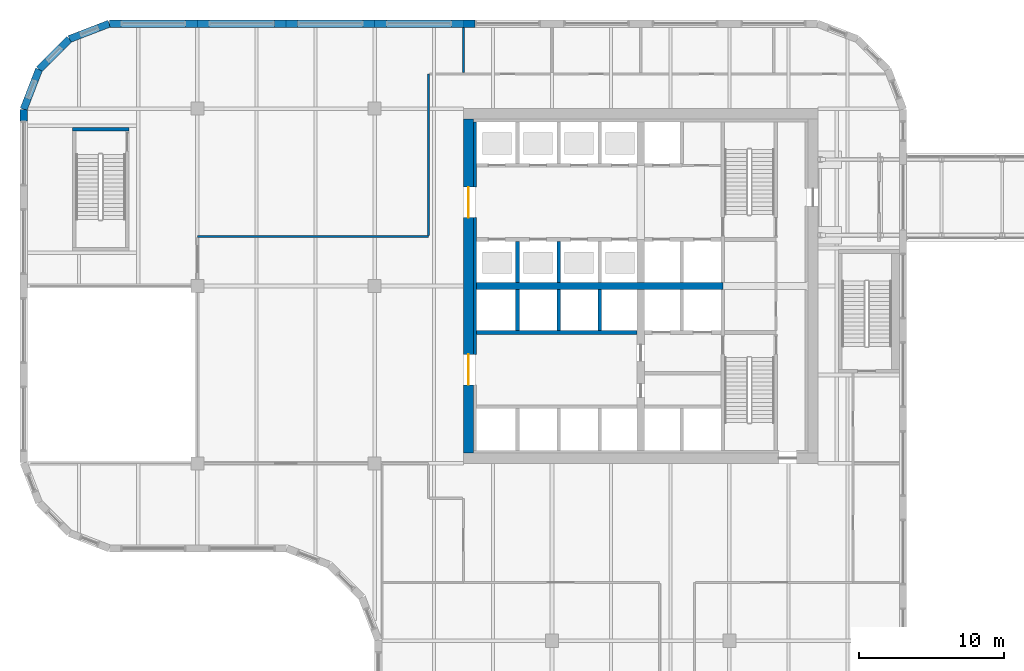
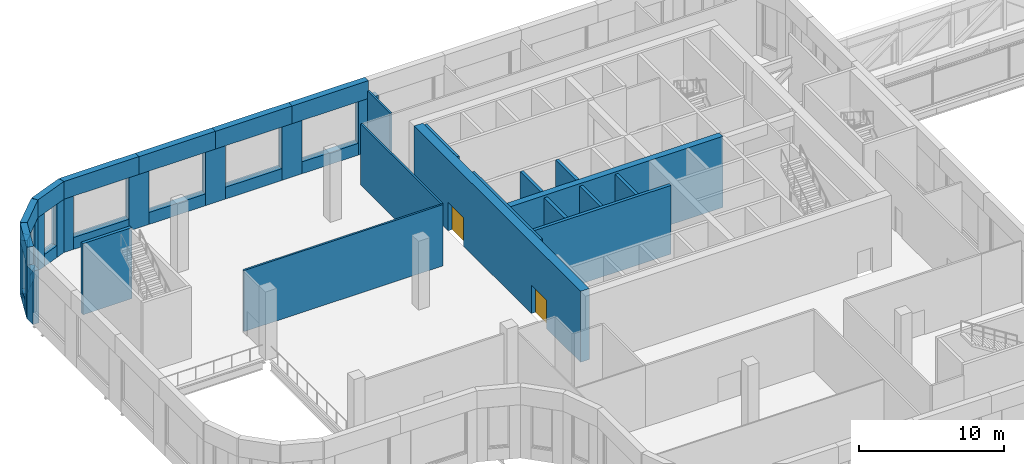
# One storey, part 23 of 36: 40 walls, 2 doors, 2 openings.
"""IFC4 building model written with IfcOpenShell, lengths in metres."""

from ifc_helpers import new_model, si_unit, direction, frame, frame_2d, origin, place, context, subcontext, project, spatial, polyline, rectangle, outline, extrude, faceted_brep, source, transform, mapped, material, layer, layer_set, type_object, element, fill, save


model = new_model("IFC4")

# Units and contexts
model_context = context("Model", 3, precision=1e-05, world=origin(), true_north=direction((0.0, 1.0)))
body_context = subcontext(model_context, "Body", "Model", "MODEL_VIEW")
ifc_project = project(units=[si_unit("LENGTHUNIT", "METRE"), si_unit("AREAUNIT", "SQUARE_METRE"), si_unit("VOLUMEUNIT", "CUBIC_METRE"), si_unit("PLANEANGLEUNIT", "RADIAN"), si_unit("MASSUNIT", "GRAM", prefix="KILO")], contexts=[model_context])

# Site, building, storey
site_placement = place(None, origin())
site = spatial("IfcSite", under=ifc_project, at=site_placement, CompositionType="ELEMENT")
building_placement = place(site_placement, origin())
building = spatial("IfcBuilding", under=site, at=building_placement, Name="Tessera Gate Towers", CompositionType="ELEMENT")
storey_placement = place(building_placement, frame((0.0, 0.0, 106.60009765625)))
storey = spatial("IfcBuildingStorey", under=building, at=storey_placement, Name="L26", CompositionType="ELEMENT", Elevation=106.60009765625)

# Walls
ifc_material_1 = material(Name="Concrete C40/50", Category="concrete")
ifc_layer_1 = layer(ifc_material_1, 0.25)
ifc_layer_set_1 = layer_set([ifc_layer_1], Name="CORE ENCLOSURE WALL 250")
wall_type_1 = type_object("IfcWallType", Name="CORE ENCLOSURE WALL 250", PredefinedType="SOLIDWALL", material=ifc_layer_set_1)
wall_1_placement = place(storey_placement, frame((31.39990234375, 33.39990234375, 0.0), z_axis=(0.0, 0.0, 1.0), x_axis=(1.0, 0.0, 0.0)))
element("IfcWall", 1, at=wall_1_placement, inside=storey, type_object=wall_type_1, Name="L26 shaft and stair enclosure wall", PredefinedType="SOLIDWALL", context=body_context, shape_type="SweptSolid", body=[
    extrude(rectangle(XDim=11.050048828125, YDim=0.25, at=frame_2d((5.52490234375, 0.0))), origin(), (0.0, 0.0, 1.0), 5.7998046875),
])
wall_2_placement = place(storey_placement, frame((34.22509765625, 33.52490234375, 0.0), z_axis=(0.0, 0.0, 1.0), x_axis=(0.0, 1.0, 0.0)))
element("IfcWall", 2, at=wall_2_placement, inside=storey, type_object=wall_type_1, Name="L26 shaft and stair enclosure wall", PredefinedType="SOLIDWALL", context=body_context, shape_type="SweptSolid", body=[
    extrude(rectangle(XDim=2.8251953125, YDim=0.25, at=frame_2d((1.41259765625, 0.0))), origin(), (0.0, 0.0, 1.0), 5.7998046875),
])
wall_3_placement = place(storey_placement, frame((34.22509765625, 36.85009765625, 0.0), z_axis=(0.0, 0.0, 1.0), x_axis=(0.0, 1.0, 0.0)))
element("IfcWall", 3, at=wall_3_placement, inside=storey, type_object=wall_type_1, Name="L26 shaft and stair enclosure wall", PredefinedType="SOLIDWALL", context=body_context, shape_type="SweptSolid", body=[
    extrude(rectangle(XDim=2.824951171875, YDim=0.25, at=frame_2d((1.41259765625, 0.0))), origin(), (0.0, 0.0, 1.0), 6.0),
])
wall_4_placement = place(storey_placement, frame((37.050048828125, 33.52490234375, 0.0), z_axis=(0.0, 0.0, 1.0), x_axis=(0.0, 1.0, 0.0)))
element("IfcWall", 4, at=wall_4_placement, inside=storey, type_object=wall_type_1, Name="L26 shaft and stair enclosure wall", PredefinedType="SOLIDWALL", context=body_context, shape_type="SweptSolid", body=[
    extrude(rectangle(XDim=2.8251953125, YDim=0.25, at=frame_2d((1.41259765625, 0.0))), origin(), (0.0, 0.0, 1.0), 5.7998046875),
])
wall_5_placement = place(storey_placement, frame((37.050048828125, 36.85009765625, 0.0), z_axis=(0.0, 0.0, 1.0), x_axis=(0.0, 1.0, 0.0)))
element("IfcWall", 5, at=wall_5_placement, inside=storey, type_object=wall_type_1, Name="L26 shaft and stair enclosure wall", PredefinedType="SOLIDWALL", context=body_context, shape_type="SweptSolid", body=[
    extrude(rectangle(XDim=2.824951171875, YDim=0.25, at=frame_2d((1.41259765625, 0.0))), origin(), (0.0, 0.0, 1.0), 6.0),
])
wall_6_placement = place(storey_placement, frame((39.875, 33.52490234375, 0.0), z_axis=(0.0, 0.0, 1.0), x_axis=(0.0, 1.0, 0.0)))
element("IfcWall", 6, at=wall_6_placement, inside=storey, type_object=wall_type_1, Name="L26 shaft and stair enclosure wall", PredefinedType="SOLIDWALL", context=body_context, shape_type="SweptSolid", body=[
    extrude(rectangle(XDim=2.8251953125, YDim=0.25, at=frame_2d((1.41259765625, 0.0))), origin(), (0.0, 0.0, 1.0), 5.7998046875),
])
wall_7_placement = place(storey_placement, frame((3.60009765625, 47.375, 0.0), z_axis=(0.0, 0.0, 1.0), x_axis=(1.0, 0.0, 0.0)))
element("IfcWall", 7, at=wall_7_placement, inside=storey, type_object=wall_type_1, Name="L26 ST3 enclosure wall", PredefinedType="SOLIDWALL", context=body_context, shape_type="SweptSolid", body=[
    extrude(rectangle(XDim=3.89990234375, YDim=0.25, at=frame_2d((1.949951171875, 0.0))), origin(), (0.0, 0.0, 1.0), 6.0),
])

# Wall, openings, doors
ifc_material_2 = material(Name="Concrete C60/75", Category="concrete")
ifc_layer_2 = layer(ifc_material_2, 0.699951171875)
ifc_layer_set_2 = layer_set([ifc_layer_2], Name="CORE SHEAR WALL 700 C60/75")
wall_type_2 = type_object("IfcWallType", Name="CORE SHEAR WALL 700 C60/75", PredefinedType="SHEAR", material=ifc_layer_set_2)
wall_8_placement = place(storey_placement, frame((30.85009765625, 25.10009765625, 0.0), z_axis=(0.0, 0.0, 1.0), x_axis=(0.0, 1.0, 0.0)))
wall_8 = element("IfcWall", 8, at=wall_8_placement, inside=storey, type_object=wall_type_2, Name="Core wall W L26", PredefinedType="SHEAR", context=body_context, shape_type="SweptSolid", body=[
    extrude(rectangle(XDim=23.0, YDim=0.699951171875, at=frame_2d((11.5, 0.0))), origin(), (0.0, 0.0, 1.0), 6.0),
])
shared_shape_1 = source(origin(), body_context, "Body", "SweptSolid", [
    extrude(rectangle(XDim=2.10009765625, YDim=2.39990234375, at=frame_2d((1.050048828125, 1.199951171875))), frame((0.0, 0.35986328125, 0.0), z_axis=(0.0, -1.0, 0.0), x_axis=(1.0, 0.0, 0.0)), (0.0, 0.0, 1.0), 0.719970703125),
])
opening_1_placement = place(wall_8_placement, frame((4.699951171875, 0.0, 0.0)))
opening_1 = element("IfcOpeningElement", 9, at=opening_1_placement, cuts=wall_8, Name="Opening DD-T1-18-02", PredefinedType="OPENING", context=body_context, shape_type="MappedRepresentation", body=[
    mapped(shared_shape_1, transform((0.0, 0.0, 0.0), scale=1.0)),
])
opening_2_placement = place(wall_8_placement, frame((16.199951171875, 0.0, 0.0)))
opening_2 = element("IfcOpeningElement", 10, at=opening_2_placement, cuts=wall_8, Name="Opening DD-T1-18-03", PredefinedType="OPENING", context=body_context, shape_type="MappedRepresentation", body=[
    mapped(shared_shape_1, transform((0.0, 0.0, 0.0), scale=1.0)),
])
ifc_material_3 = material(Name="Hollow steel fire door", Category="steel")
door_type = type_object("IfcDoorType", Name="CORE DOOR DD 2100x2400", OperationType="NOTDEFINED", PredefinedType="DOOR", material=ifc_material_3)
shared_shape_2 = source(origin(), body_context, "Body", "SweptSolid", [
    extrude(rectangle(XDim=2.10009765625, YDim=2.39990234375, at=frame_2d((1.050048828125, 1.199951171875))), frame((0.0, 0.02490234375, 0.0), z_axis=(0.0, -1.0, 0.0), x_axis=(1.0, 0.0, 0.0)), (0.0, 0.0, 1.0), 0.050048828125),
])
door_1_placement = place(opening_1_placement, origin())
door_1 = element("IfcDoor", 11, at=door_1_placement, inside=storey, type_object=door_type, Name="Core entrance door", OperationType="DOUBLE_DOOR_SINGLE_SWING", OverallHeight=2.39990234375, OverallWidth=2.10009765625, PredefinedType="DOOR", context=body_context, shape_type="MappedRepresentation", body=[
    mapped(shared_shape_2, transform((0.0, 0.0, 0.0), scale=1.0)),
])
fill(opening_1, door_1)
door_2_placement = place(opening_2_placement, origin())
door_2 = element("IfcDoor", 12, at=door_2_placement, inside=storey, type_object=door_type, Name="Core entrance door", OperationType="DOUBLE_DOOR_SINGLE_SWING", OverallHeight=2.39990234375, OverallWidth=2.10009765625, PredefinedType="DOOR", context=body_context, shape_type="MappedRepresentation", body=[
    mapped(shared_shape_2, transform((0.0, 0.0, 0.0), scale=1.0)),
])
fill(opening_2, door_2)

# Walls
ifc_material_4 = material(Name="Concrete C60/75", Category="concrete")
ifc_layer_3 = layer(ifc_material_4, 0.5)
ifc_layer_set_3 = layer_set([ifc_layer_3], Name="CORE SPINE WALL 500 C60/75")
wall_type_3 = type_object("IfcWallType", Name="CORE SPINE WALL 500 C60/75", PredefinedType="SHEAR", material=ifc_layer_set_3)
wall_9_placement = place(storey_placement, frame((31.39990234375, 36.60009765625, 0.0), z_axis=(0.0, 0.0, 1.0), x_axis=(1.0, 0.0, 0.0)))
element("IfcWall", 13, at=wall_9_placement, inside=storey, type_object=wall_type_3, Name="Core wall spine L26", PredefinedType="SHEAR", context=body_context, shape_type="SweptSolid", body=[
    extrude(rectangle(XDim=16.9501953125, YDim=0.5, at=frame_2d((8.47509765625, 0.0))), origin(), (0.0, 0.0, 1.0), 6.0),
])
ifc_material_5 = material(Name="Concrete C60/75", Category="concrete")
ifc_layer_4 = layer(ifc_material_5, 0.199951171875)
ifc_layer_set_4 = layer_set([ifc_layer_4], Name="CORE WALL THICKENING 200")
wall_type_4 = type_object("IfcWallType", Name="CORE WALL THICKENING 200", PredefinedType="SOLIDWALL", material=ifc_layer_set_4)
wall_10_placement = place(storey_placement, frame((31.300048828125, 31.89990234375, 0.0), z_axis=(0.0, 0.0, 1.0), x_axis=(0.0, 1.0, 0.0)))
element("IfcWall", 14, at=wall_10_placement, inside=storey, type_object=wall_type_4, Name="Core wall thickening W L26", PredefinedType="SOLIDWALL", context=body_context, shape_type="SweptSolid", body=[
    extrude(rectangle(XDim=9.400146484375, YDim=0.199951171875, at=frame_2d((4.7001953125, 0.0))), origin(), (0.0, 0.0, 1.0), 6.0),
])
wall_11_placement = place(storey_placement, frame((31.300048828125, 43.39990234375, 0.0), z_axis=(0.0, 0.0, 1.0), x_axis=(0.0, 1.0, 0.0)))
element("IfcWall", 15, at=wall_11_placement, inside=storey, type_object=wall_type_4, Name="Core wall thickening W L26", PredefinedType="SOLIDWALL", context=body_context, shape_type="SweptSolid", body=[
    extrude(rectangle(XDim=4.5, YDim=0.199951171875, at=frame_2d((2.25, 0.0))), origin(), (0.0, 0.0, 1.0), 6.0),
])
ifc_material_6 = material(Name="Gypsum board on steel studs, mineral wool", Category="steel")
ifc_layer_5 = layer(ifc_material_6, 0.14990234375)
ifc_layer_set_5 = layer_set([ifc_layer_5], Name="CORRIDOR WALL 150")
wall_type_5 = type_object("IfcWallType", Name="CORRIDOR WALL 150", PredefinedType="PARTITIONING", material=ifc_layer_set_5)
wall_12_placement = place(storey_placement, frame((12.199951171875, 40.0, 0.0), z_axis=(0.0, 0.0, 1.0), x_axis=(1.0, 0.0, 0.0)))
element("IfcWall", 16, at=wall_12_placement, inside=storey, type_object=wall_type_5, Name="T1-L26-PW-019", PredefinedType="PARTITIONING", context=body_context, shape_type="SweptSolid", body=[
    extrude(rectangle(XDim=15.900146484375, YDim=0.14990234375, at=frame_2d((7.9501953125, 0.0))), origin(), (0.0, 0.0, 1.0), 5.1669921875),
])
wall_13_placement = place(storey_placement, frame((28.10009765625, 40.075927734375, 0.0), z_axis=(0.0, 0.0, 1.0), x_axis=(0.0, 1.0, 0.0)))
element("IfcWall", 17, at=wall_13_placement, inside=storey, type_object=wall_type_5, Name="T1-L26-PW-020", PredefinedType="PARTITIONING", context=body_context, shape_type="SweptSolid", body=[
    extrude(rectangle(XDim=11.1240234375, YDim=0.14990234375, at=frame_2d((5.56201171875, 0.0))), origin(), (0.0, 0.0, 1.0), 5.1669921875),
])
ifc_material_7 = material(Name="Gypsum board on steel studs, mineral wool", Category="steel")
ifc_layer_6 = layer(ifc_material_7, 0.14990234375)
ifc_layer_set_6 = layer_set([ifc_layer_6], Name="TENANCY WALL 150")
wall_type_6 = type_object("IfcWallType", Name="TENANCY WALL 150", PredefinedType="PARTITIONING", material=ifc_layer_set_6)
wall_14_placement = place(storey_placement, frame((30.5, 51.27587890625, 0.0), z_axis=(0.0, 0.0, 1.0), x_axis=(0.0, 1.0, 0.0)))
element("IfcWall", 18, at=wall_14_placement, inside=storey, type_object=wall_type_6, Name="T1-L26-PW-022", PredefinedType="PARTITIONING", context=body_context, shape_type="SweptSolid", body=[
    extrude(rectangle(XDim=3.1240234375, YDim=0.14990234375, at=frame_2d((1.56201171875, 0.0))), origin(), (0.0, 0.0, 1.0), 5.1669921875),
])
ifc_material_8 = material(Name="Precast concrete C60/75 white", Category="concrete")
ifc_layer_7 = layer(ifc_material_8, 0.5)
ifc_layer_set_7 = layer_set([ifc_layer_7], Name="RB1 ring band panel")
wall_type_7 = type_object("IfcWallType", Name="RB1 ring band panel", PredefinedType="SOLIDWALL", material=ifc_layer_set_7)
shared_shape_3 = source(origin(), body_context, "Body", "Brep", [
    faceted_brep([(0.0, -0.25, 0.0), (0.800048828125, -0.25, 0.0), (0.800048828125, -0.25, 4.5), (0.0, -0.25, 4.5), (0.046630859375, 0.25, 4.5), (0.800048828125, 0.25, 4.5), (0.800048828125, 0.25, 0.0), (0.046630859375, 0.25, 0.0), (0.0, 0.0, 0.0), (0.0, 0.0, 4.5)], [[[0, 1, 2, 3]], [[4, 5, 6, 7]], [[7, 6, 1, 0, 8]], [[5, 4, 9, 3, 2]], [[8, 0, 3, 9]], [[7, 8, 9, 4]], [[1, 6, 5, 2]]]),
])
wall_15_placement = place(storey_placement, frame((0.25, 48.75341796875, 0.0), z_axis=(0.0, 0.0, 1.0), x_axis=(0.0, -1.0, 0.0)))
element("IfcWall", 19, at=wall_15_placement, inside=storey, type_object=wall_type_7, Name="Ring band panel T1 RB1-0195", PredefinedType="SOLIDWALL", context=body_context, shape_type="MappedRepresentation", body=[
    mapped(shared_shape_3, transform((0.0, 0.0, 0.0), scale=1.0)),
])
shared_shape_4 = source(origin(), body_context, "Body", "Brep", [
    faceted_brep([(0.0, -0.25, 0.0), (1.599853515625, -0.25, 0.0), (1.599853515625, -0.25, 4.5), (0.0, -0.25, 4.5), (0.0, 0.25, 4.5), (1.599853515625, 0.25, 4.5), (1.599853515625, 0.25, 0.0), (0.0, 0.25, 0.0)], [[[0, 1, 2, 3]], [[4, 5, 6, 7]], [[7, 6, 1, 0]], [[5, 4, 3, 2]], [[4, 7, 0, 3]], [[1, 6, 5, 2]]]),
])
wall_16_placement = place(storey_placement, frame((25.199951171875, 54.64990234375, 0.0), z_axis=(0.0, 0.0, 1.0), x_axis=(-1.0, 0.0, 0.0)))
element("IfcWall", 20, at=wall_16_placement, inside=storey, type_object=wall_type_7, Name="Ring band panel T1 RB1-0163", PredefinedType="SOLIDWALL", context=body_context, shape_type="MappedRepresentation", body=[
    mapped(shared_shape_4, transform((0.0, 0.0, 0.0), scale=1.0)),
])
shared_shape_5 = source(origin(), body_context, "Body", "SweptSolid", [
    extrude(outline(polyline([(0.0, 0.0), (1.60009765625, 0.0), (1.60009765625, 4.5), (0.0, 4.5), (0.0, 0.0)])), frame((0.0, 0.25, 0.0), z_axis=(0.0, -1.0, 0.0), x_axis=(1.0, 0.0, 0.0)), (0.0, 0.0, 1.0), 0.5),
])
for number, where, z_axis, x_axis, name in (
    (21, (31.300048828125, 54.64990234375, 0.0), (0.0, 0.0, 1.0), (-1.0, 0.0, 0.0), "Ring band panel T1 RB1-0162"),
    (22, (19.10009765625, 54.64990234375, 0.0), (0.0, 0.0, 1.0), (-1.0, 0.0, 0.0), "Ring band panel T1 RB1-0164"),
    (23, (13.0, 54.64990234375, 0.0), (0.0, 0.0, 1.0), (-1.0, 0.0, 0.0), "Ring band panel T1 RB1-0165"),
):
    element("IfcWall", number, at=place(storey_placement, frame(where, z_axis=z_axis, x_axis=x_axis)), inside=storey, type_object=wall_type_7, Name=name, PredefinedType="SOLIDWALL", context=body_context, shape_type="MappedRepresentation", body=[
        mapped(shared_shape_5, transform((0.0, 0.0, 0.0), scale=1.0)),
    ])
shared_shape_6 = source(origin(), body_context, "Body", "Brep", [
    faceted_brep([(0.0, -0.25, 0.0), (0.800048828125, -0.25, 0.0), (0.800048828125, -0.25, 4.5), (0.0, -0.25, 4.5), (0.0, 0.25, 4.5), (0.75341796875, 0.25, 4.5), (0.75341796875, 0.25, 0.0), (0.0, 0.25, 0.0), (0.800048828125, -0.000244140625, 0.0), (0.800048828125, -0.000244140625, 4.5)], [[[0, 1, 2, 3]], [[4, 5, 6, 7]], [[7, 6, 8, 1, 0]], [[9, 2, 1, 8]], [[5, 4, 3, 2, 9]], [[4, 7, 0, 3]], [[8, 6, 5, 9]]]),
])
wall_17_placement = place(storey_placement, frame((6.946533203125, 54.64990234375, 0.0), z_axis=(0.0, 0.0, 1.0), x_axis=(-1.0, 0.0, 0.0)))
element("IfcWall", 24, at=wall_17_placement, inside=storey, type_object=wall_type_7, Name="Ring band panel T1 RB1-0166", PredefinedType="SOLIDWALL", context=body_context, shape_type="MappedRepresentation", body=[
    mapped(shared_shape_6, transform((0.0, 0.0, 0.0), scale=1.0)),
])
shared_shape_7 = source(origin(), body_context, "Body", "SweptSolid", [
    extrude(outline(polyline([(0.0, 0.0), (4.453369140625, 0.0), (4.453369140625, 1.0), (0.0, 1.0), (0.0, 0.0)])), frame((0.0, 0.25, 0.0), z_axis=(0.0, -1.0, 0.0), x_axis=(1.0, 0.0, 0.0)), (0.0, 0.0, 1.0), 0.5),
])
wall_18_placement = place(storey_placement, frame((11.39990234375, 54.64990234375, 0.0), z_axis=(0.0, 0.0, 1.0), x_axis=(-1.0, 0.0, 0.0)))
element("IfcWall", 25, at=wall_18_placement, inside=storey, type_object=wall_type_7, Name="Ring band panel T1 RB1-0181", PredefinedType="SOLIDWALL", context=body_context, shape_type="MappedRepresentation", body=[
    mapped(shared_shape_7, transform((0.0, 0.0, 0.0), scale=1.0)),
])
shared_shape_8 = source(origin(), body_context, "Body", "SweptSolid", [
    extrude(outline(polyline([(0.0, 0.0), (4.5, 0.0), (4.5, 1.0), (0.0, 1.0), (0.0, 0.0)])), frame((0.0, 0.25, 0.0), z_axis=(0.0, -1.0, 0.0), x_axis=(1.0, 0.0, 0.0)), (0.0, 0.0, 1.0), 0.5),
])
for number, where, z_axis, x_axis, name in (
    (26, (29.699951171875, 54.64990234375, 0.0), (0.0, 0.0, 1.0), (-1.0, 0.0, 0.0), "Ring band panel T1 RB1-0175"),
    (27, (23.60009765625, 54.64990234375, 0.0), (0.0, 0.0, 1.0), (-1.0, 0.0, 0.0), "Ring band panel T1 RB1-0177"),
    (28, (17.5, 54.64990234375, 0.0), (0.0, 0.0, 1.0), (-1.0, 0.0, 0.0), "Ring band panel T1 RB1-0179"),
):
    element("IfcWall", number, at=place(storey_placement, frame(where, z_axis=z_axis, x_axis=x_axis)), inside=storey, type_object=wall_type_7, Name=name, PredefinedType="SOLIDWALL", context=body_context, shape_type="MappedRepresentation", body=[
        mapped(shared_shape_8, transform((0.0, 0.0, 0.0), scale=1.0)),
    ])
shared_shape_9 = source(origin(), body_context, "Body", "Brep", [
    faceted_brep([(0.0, -0.25, 0.0), (6.099853515625, -0.25, 0.0), (6.099853515625, -0.25, 1.5), (0.0, -0.25, 1.5), (0.0, 0.25, 1.5), (6.099853515625, 0.25, 1.5), (6.099853515625, 0.25, 0.0), (0.0, 0.25, 0.0)], [[[0, 1, 2, 3]], [[4, 5, 6, 7]], [[7, 6, 1, 0]], [[5, 4, 3, 2]], [[4, 7, 0, 3]], [[1, 6, 5, 2]]]),
])
wall_19_placement = place(storey_placement, frame((24.39990234375, 54.64990234375, 4.5), z_axis=(0.0, 0.0, 1.0), x_axis=(-1.0, 0.0, 0.0)))
element("IfcWall", 29, at=wall_19_placement, inside=storey, type_object=wall_type_7, Name="Ring band panel T1 RB1-0178", PredefinedType="SOLIDWALL", context=body_context, shape_type="MappedRepresentation", body=[
    mapped(shared_shape_9, transform((0.0, 0.0, 0.0), scale=1.0)),
])
shared_shape_10 = source(origin(), body_context, "Body", "SweptSolid", [
    extrude(outline(polyline([(0.0, 0.0), (6.10009765625, 0.0), (6.10009765625, 1.5), (0.0, 1.5), (0.0, 0.0)])), frame((0.0, 0.25, 0.0), z_axis=(0.0, -1.0, 0.0), x_axis=(1.0, 0.0, 0.0)), (0.0, 0.0, 1.0), 0.5),
])
for number, where, z_axis, x_axis, name in (
    (30, (30.5, 54.64990234375, 4.5), (0.0, 0.0, 1.0), (-1.0, 0.0, 0.0), "Ring band panel T1 RB1-0176"),
    (31, (18.300048828125, 54.64990234375, 4.5), (0.0, 0.0, 1.0), (-1.0, 0.0, 0.0), "Ring band panel T1 RB1-0180"),
):
    element("IfcWall", number, at=place(storey_placement, frame(where, z_axis=z_axis, x_axis=x_axis)), inside=storey, type_object=wall_type_7, Name=name, PredefinedType="SOLIDWALL", context=body_context, shape_type="MappedRepresentation", body=[
        mapped(shared_shape_10, transform((0.0, 0.0, 0.0), scale=1.0)),
    ])
shared_shape_11 = source(origin(), body_context, "Body", "Brep", [
    faceted_brep([(0.0, -0.25, 0.0), (6.053466796875, -0.25, 0.0), (6.053466796875, -0.25, 1.5), (0.0, -0.25, 1.5), (0.0, 0.25, 1.5), (6.0068359375, 0.25, 1.5), (6.0068359375, 0.25, 0.0), (0.0, 0.25, 0.0), (6.053466796875, 0.0, 0.0), (6.053466796875, 0.0, 1.5)], [[[0, 1, 2, 3]], [[4, 5, 6, 7]], [[7, 6, 8, 1, 0]], [[9, 2, 1, 8]], [[5, 4, 3, 2, 9]], [[4, 7, 0, 3]], [[8, 6, 5, 9]]]),
])
wall_20_placement = place(storey_placement, frame((12.199951171875, 54.64990234375, 4.5), z_axis=(0.0, 0.0, 1.0), x_axis=(-1.0, 0.0, 0.0)))
element("IfcWall", 32, at=wall_20_placement, inside=storey, type_object=wall_type_7, Name="Ring band panel T1 RB1-0182", PredefinedType="SOLIDWALL", context=body_context, shape_type="MappedRepresentation", body=[
    mapped(shared_shape_11, transform((0.0, 0.0, 0.0), scale=1.0)),
])
shared_shape_12 = source(origin(), body_context, "Body", "Brep", [
    faceted_brep([(0.0, -0.25, 0.0), (0.800048828125, -0.25, 0.0), (0.800048828125, -0.25, 4.5), (0.0, -0.25, 4.5), (0.046630859375, 0.25, 4.5), (0.800048828125, 0.25, 4.5), (0.800048828125, 0.25, 0.0), (0.046630859375, 0.25, 0.0), (0.0, 0.0, 0.0), (0.0, 0.0, 4.5)], [[[0, 1, 2, 3]], [[4, 5, 6, 7]], [[7, 6, 1, 0, 8]], [[5, 4, 9, 3, 2]], [[8, 0, 3, 9]], [[7, 8, 9, 4]], [[1, 6, 5, 2]]]),
])
wall_21_placement = place(storey_placement, frame((6.146484375, 54.64990234375, 0.0), z_axis=(0.0, 0.0, 1.0), x_axis=(-0.93301483327, -0.3598379092, 0.0)))
element("IfcWall", 33, at=wall_21_placement, inside=storey, type_object=wall_type_7, Name="Ring band panel T1 RB1-0183", PredefinedType="SOLIDWALL", context=body_context, shape_type="MappedRepresentation", body=[
    mapped(shared_shape_12, transform((0.0, 0.0, 0.0), scale=1.0)),
])
shared_shape_13 = source(origin(), body_context, "Body", "Brep", [
    faceted_brep([(0.0, -0.25, 0.0), (0.800048828125, -0.25, 0.0), (0.800048828125, -0.25, 4.5), (0.0, -0.25, 4.5), (0.0, 0.25, 4.5), (0.7470703125, 0.25, 4.5), (0.7470703125, 0.25, 0.0), (0.0, 0.25, 0.0), (0.800048828125, -0.000244140625, 0.0), (0.800048828125, -0.000244140625, 4.5)], [[[0, 1, 2, 3]], [[4, 5, 6, 7]], [[7, 6, 8, 1, 0]], [[9, 2, 1, 8]], [[5, 4, 3, 2, 9]], [[4, 7, 0, 3]], [[8, 6, 5, 9]]]),
])
wall_22_placement = place(storey_placement, frame((1.877685546875, 52.072021484375, 0.0), z_axis=(0.0, 0.0, 1.0), x_axis=(-0.707259322823, -0.706954206636, 0.0)))
element("IfcWall", 34, at=wall_22_placement, inside=storey, type_object=wall_type_7, Name="Ring band panel T1 RB1-0188", PredefinedType="SOLIDWALL", context=body_context, shape_type="MappedRepresentation", body=[
    mapped(shared_shape_13, transform((0.0, 0.0, 0.0), scale=1.0)),
])
shared_shape_14 = source(origin(), body_context, "Body", "SweptSolid", [
    extrude(outline(polyline([(0.0, 0.0), (1.3505859375, 0.0), (1.3505859375, 1.0), (0.0, 1.0), (0.0, 0.0)])), frame((0.0, 0.25, 0.0), z_axis=(0.0, -1.0, 0.0), x_axis=(1.0, 0.0, 0.0)), (0.0, 0.0, 1.0), 0.5),
])
for number, where, z_axis, x_axis, name in (
    (35, (5.400146484375, 54.362060546875, 0.0), (0.0, 0.0, 1.0), (-0.932981713512, -0.359923772835, 0.0), "Ring band panel T1 RB1-0185"),
    (36, (1.02392578125, 50.759765625, 0.0), (0.0, 0.0, 1.0), (-0.359923772835, -0.932981713512, 0.0), "Ring band panel T1 RB1-0193"),
):
    element("IfcWall", number, at=place(storey_placement, frame(where, z_axis=z_axis, x_axis=x_axis)), inside=storey, type_object=wall_type_7, Name=name, PredefinedType="SOLIDWALL", context=body_context, shape_type="MappedRepresentation", body=[
        mapped(shared_shape_14, transform((0.0, 0.0, 0.0), scale=1.0)),
    ])
shared_shape_15 = source(origin(), body_context, "Body", "Brep", [
    faceted_brep([(0.0, -0.25, 0.0), (2.950439453125, -0.25, 0.0), (2.950439453125, -0.25, 1.5), (0.0, -0.25, 1.5), (0.046630859375, 0.25, 1.5), (2.897705078125, 0.25, 1.5), (2.897705078125, 0.25, 0.0), (0.046630859375, 0.25, 0.0), (2.950439453125, 0.00048828125, 0.0), (0.0, 0.0, 0.0), (2.950439453125, 0.00048828125, 1.5), (0.0, 0.0, 1.5)], [[[0, 1, 2, 3]], [[4, 5, 6, 7]], [[7, 6, 8, 1, 0, 9]], [[10, 2, 1, 8]], [[5, 4, 11, 3, 2, 10]], [[9, 0, 3, 11]], [[7, 9, 11, 4]], [[8, 6, 5, 10]]]),
])
wall_23_placement = place(storey_placement, frame((6.146484375, 54.64990234375, 4.5), z_axis=(0.0, 0.0, 1.0), x_axis=(-0.932999673775, -0.359877213415, 0.0)))
element("IfcWall", 37, at=wall_23_placement, inside=storey, type_object=wall_type_7, Name="Ring band panel T1 RB1-0186", PredefinedType="SOLIDWALL", context=body_context, shape_type="MappedRepresentation", body=[
    mapped(shared_shape_15, transform((0.0, 0.0, 0.0), scale=1.0)),
])
shared_shape_16 = source(origin(), body_context, "Body", "Brep", [
    faceted_brep([(0.0, -0.25, 0.0), (0.800048828125, -0.25, 0.0), (0.800048828125, -0.25, 4.5), (0.0, -0.25, 4.5), (0.052978515625, 0.25, 4.5), (0.800048828125, 0.25, 4.5), (0.800048828125, 0.25, 0.0), (0.052978515625, 0.25, 0.0), (0.0, 0.0, 0.0), (0.0, 0.0, 4.5)], [[[0, 1, 2, 3]], [[4, 5, 6, 7]], [[7, 6, 1, 0, 8]], [[5, 4, 9, 3, 2]], [[8, 0, 3, 9]], [[7, 8, 9, 4]], [[1, 6, 5, 2]]]),
])
wall_24_placement = place(storey_placement, frame((3.393798828125, 53.588134765625, 0.0), z_axis=(0.0, 0.0, 1.0), x_axis=(-0.707106781187, -0.707106781187, 0.0)))
element("IfcWall", 38, at=wall_24_placement, inside=storey, type_object=wall_type_7, Name="Ring band panel T1 RB1-0187", PredefinedType="SOLIDWALL", context=body_context, shape_type="MappedRepresentation", body=[
    mapped(shared_shape_16, transform((0.0, 0.0, 0.0), scale=1.0)),
])
shared_shape_17 = source(origin(), body_context, "Body", "SweptSolid", [
    extrude(outline(polyline([(0.0, 0.0), (1.34423828125, 0.0), (1.34423828125, 1.0), (0.0, 1.0), (0.0, 0.0)])), frame((0.0, 0.25, 0.0), z_axis=(0.0, -1.0, 0.0), x_axis=(1.0, 0.0, 0.0)), (0.0, 0.0, 1.0), 0.5),
])
wall_25_placement = place(storey_placement, frame((2.828125, 53.0224609375, 0.0), z_axis=(0.0, 0.0, 1.0), x_axis=(-0.707106781187, -0.707106781187, 0.0)))
element("IfcWall", 39, at=wall_25_placement, inside=storey, type_object=wall_type_7, Name="Ring band panel T1 RB1-0189", PredefinedType="SOLIDWALL", context=body_context, shape_type="MappedRepresentation", body=[
    mapped(shared_shape_17, transform((0.0, 0.0, 0.0), scale=1.0)),
])
shared_shape_18 = source(origin(), body_context, "Body", "Brep", [
    faceted_brep([(0.0, -0.25, 0.0), (2.944091796875, -0.25, 0.0), (2.944091796875, -0.25, 1.5), (0.0, -0.25, 1.5), (0.052978515625, 0.25, 1.5), (2.89111328125, 0.25, 1.5), (2.89111328125, 0.25, 0.0), (0.052978515625, 0.25, 0.0), (2.944091796875, 0.000244140625, 0.0), (0.0, 0.0, 0.0), (2.944091796875, 0.000244140625, 1.5), (0.0, 0.0, 1.5)], [[[0, 1, 2, 3]], [[4, 5, 6, 7]], [[7, 6, 8, 1, 0, 9]], [[10, 2, 1, 8]], [[5, 4, 11, 3, 2, 10]], [[9, 0, 3, 11]], [[7, 9, 11, 4]], [[8, 6, 5, 10]]]),
])
wall_26_placement = place(storey_placement, frame((3.393798828125, 53.588134765625, 4.5), z_axis=(0.0, 0.0, 1.0), x_axis=(-0.707106781187, -0.707106781187, 0.0)))
element("IfcWall", 40, at=wall_26_placement, inside=storey, type_object=wall_type_7, Name="Ring band panel T1 RB1-0190", PredefinedType="SOLIDWALL", context=body_context, shape_type="MappedRepresentation", body=[
    mapped(shared_shape_18, transform((0.0, 0.0, 0.0), scale=1.0)),
])
shared_shape_19 = source(origin(), body_context, "Body", "Brep", [
    faceted_brep([(0.0, -0.25, 0.0), (0.800048828125, -0.25, 0.0), (0.800048828125, -0.25, 4.5), (0.0, -0.25, 4.5), (0.0, 0.25, 4.5), (0.75341796875, 0.25, 4.5), (0.75341796875, 0.25, 0.0), (0.0, 0.25, 0.0), (0.800048828125, -0.000244140625, 0.0), (0.800048828125, -0.000244140625, 4.5)], [[[0, 1, 2, 3]], [[4, 5, 6, 7]], [[7, 6, 8, 1, 0]], [[9, 2, 1, 8]], [[5, 4, 3, 2, 9]], [[4, 7, 0, 3]], [[8, 6, 5, 9]]]),
])
wall_27_placement = place(storey_placement, frame((0.537841796875, 49.499755859375, 0.0), z_axis=(0.0, 0.0, 1.0), x_axis=(-0.3598379092, -0.93301483327, 0.0)))
element("IfcWall", 41, at=wall_27_placement, inside=storey, type_object=wall_type_7, Name="Ring band panel T1 RB1-0192", PredefinedType="SOLIDWALL", context=body_context, shape_type="MappedRepresentation", body=[
    mapped(shared_shape_19, transform((0.0, 0.0, 0.0), scale=1.0)),
])
shared_shape_20 = source(origin(), body_context, "Body", "Brep", [
    faceted_brep([(0.0, -0.25, 0.0), (0.800048828125, -0.25, 0.0), (0.800048828125, -0.25, 4.5), (0.0, -0.25, 4.5), (0.0, 0.25, 4.5), (0.7470703125, 0.25, 4.5), (0.7470703125, 0.25, 0.0), (0.0, 0.25, 0.0), (0.800048828125, -0.000244140625, 0.0), (0.800048828125, -0.000244140625, 4.5)], [[[0, 1, 2, 3]], [[4, 5, 6, 7]], [[7, 6, 8, 1, 0]], [[9, 2, 1, 8]], [[5, 4, 3, 2, 9]], [[4, 7, 0, 3]], [[8, 6, 5, 9]]]),
])
wall_28_placement = place(storey_placement, frame((4.14013671875, 53.8759765625, 0.0), z_axis=(0.0, 0.0, 1.0), x_axis=(-0.93301483327, -0.3598379092, 0.0)))
element("IfcWall", 42, at=wall_28_placement, inside=storey, type_object=wall_type_7, Name="Ring band panel T1 RB1-0184", PredefinedType="SOLIDWALL", context=body_context, shape_type="MappedRepresentation", body=[
    mapped(shared_shape_20, transform((0.0, 0.0, 0.0), scale=1.0)),
])
shared_shape_21 = source(origin(), body_context, "Body", "Brep", [
    faceted_brep([(0.0, -0.25, 0.0), (0.800048828125, -0.25, 0.0), (0.800048828125, -0.25, 4.5), (0.0, -0.25, 4.5), (0.052978515625, 0.25, 4.5), (0.800048828125, 0.25, 4.5), (0.800048828125, 0.25, 0.0), (0.052978515625, 0.25, 0.0), (0.0, 0.0, 0.0), (0.0, 0.0, 4.5)], [[[0, 1, 2, 3]], [[4, 5, 6, 7]], [[7, 6, 1, 0, 8]], [[5, 4, 9, 3, 2]], [[8, 0, 3, 9]], [[7, 8, 9, 4]], [[1, 6, 5, 2]]]),
])
wall_29_placement = place(storey_placement, frame((1.31201171875, 51.50634765625, 0.0), z_axis=(0.0, 0.0, 1.0), x_axis=(-0.360001058183, -0.932951894851, 0.0)))
element("IfcWall", 43, at=wall_29_placement, inside=storey, type_object=wall_type_7, Name="Ring band panel T1 RB1-0191", PredefinedType="SOLIDWALL", context=body_context, shape_type="MappedRepresentation", body=[
    mapped(shared_shape_21, transform((0.0, 0.0, 0.0), scale=1.0)),
])
shared_shape_22 = source(origin(), body_context, "Body", "Brep", [
    faceted_brep([(0.0, -0.25, 0.0), (2.950439453125, -0.25, 0.0), (2.950439453125, -0.25, 1.5), (0.0, -0.25, 1.5), (0.052978515625, 0.25, 1.5), (2.904052734375, 0.25, 1.5), (2.904052734375, 0.25, 0.0), (0.052978515625, 0.25, 0.0), (2.950439453125, 0.00048828125, 0.0), (0.0, 0.0, 0.0), (2.950439453125, 0.00048828125, 1.5), (0.0, 0.0, 1.5)], [[[0, 1, 2, 3]], [[4, 5, 6, 7]], [[7, 6, 8, 1, 0, 9]], [[10, 2, 1, 8]], [[5, 4, 11, 3, 2, 10]], [[9, 0, 3, 11]], [[7, 9, 11, 4]], [[8, 6, 5, 10]]]),
])
wall_30_placement = place(storey_placement, frame((1.31201171875, 51.50634765625, 4.5), z_axis=(0.0, 0.0, 1.0), x_axis=(-0.359921456299, -0.932982607178, 0.0)))
element("IfcWall", 44, at=wall_30_placement, inside=storey, type_object=wall_type_7, Name="Ring band panel T1 RB1-0194", PredefinedType="SOLIDWALL", context=body_context, shape_type="MappedRepresentation", body=[
    mapped(shared_shape_22, transform((0.0, 0.0, 0.0), scale=1.0)),
])

save(model, "model.ifc")
